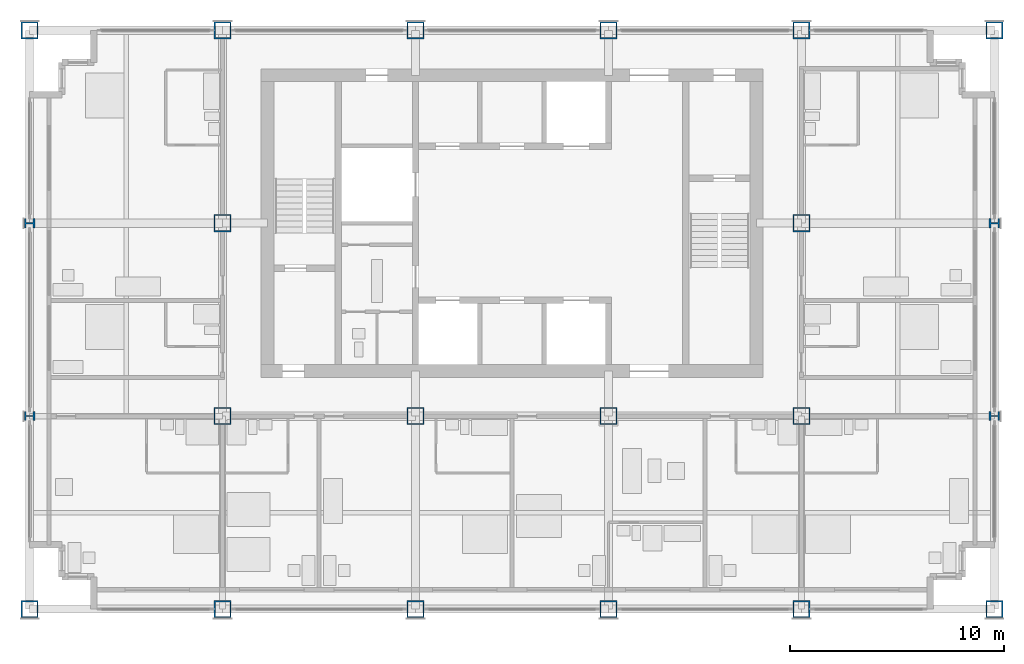
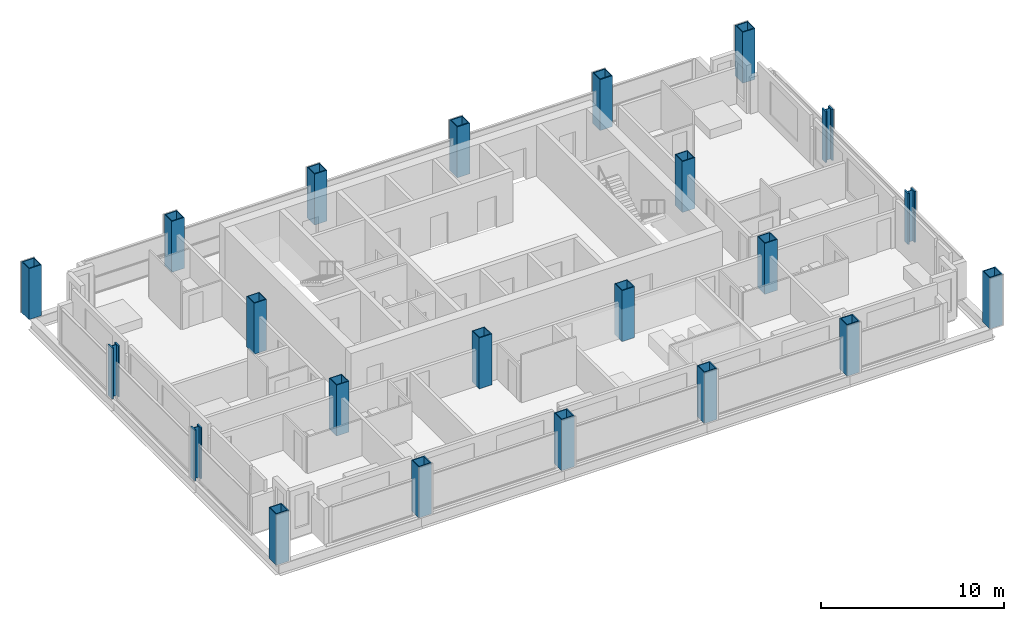
# One storey, part 1 of 13: 22 columns.
"""IFC4 building model written with IfcOpenShell, lengths in metres."""

from ifc_helpers import new_model, si_unit, direction, frame, origin, origin_2d, place, context, subcontext, project, spatial, hollow_rectangle, i_section, extrude, material, material_profile, profile_set, type_object, element, save


model = new_model("IFC4")

# Units and contexts
model_context = context("Model", 3, precision=1e-05, world=origin(), true_north=direction((0.0, 1.0)))
body_context = subcontext(model_context, "Body", "Model", "MODEL_VIEW")
ifc_project = project(units=[si_unit("LENGTHUNIT", "METRE"), si_unit("AREAUNIT", "SQUARE_METRE"), si_unit("VOLUMEUNIT", "CUBIC_METRE"), si_unit("PLANEANGLEUNIT", "RADIAN"), si_unit("MASSUNIT", "GRAM", prefix="KILO")], contexts=[model_context])

# Site, building, storey
site_placement = place(None, origin())
site = spatial("IfcSite", under=ifc_project, at=site_placement, CompositionType="ELEMENT")
building_placement = place(site_placement, origin())
building = spatial("IfcBuilding", under=site, at=building_placement, Name="Loomwork Tower", CompositionType="ELEMENT")
storey_placement = place(building_placement, frame((0.0, 0.0, 208.0)))
storey = spatial("IfcBuildingStorey", under=building, at=storey_placement, Name="L57", CompositionType="ELEMENT", Elevation=208.0)

# Columns
ifc_material_1 = material(Name="Steel ASTM A572 Grade 50 plate", Category="steel")
ifc_material_profile_1 = material_profile(ifc_material_1, hollow_rectangle(XDim=0.800048828125, YDim=0.800048828125, WallThickness=0.06005859375, at=origin_2d()), Name="BOX800x60")
ifc_profile_set_1 = profile_set([ifc_material_profile_1], Name="Steel ASTM A572 Grade 50 plate")
column_type_1 = type_object("IfcColumnType", Name="EXOSKELETON PIER BOX800x60", PredefinedType="COLUMN", material=ifc_profile_set_1)
for number, where, z_axis, x_axis, name in (
    (1, (0.0, 0.0, 0.0), (0.0, 0.0, 1.0), (1.0, 0.0, 0.0), "Exoskeleton Pier D/2 L57"),
    (2, (0.0, 27.0, 0.0), (0.0, 0.0, 1.0), (0.0, 1.0, 0.0), "Exoskeleton Pier G/2 L57"),
    (3, (9.0, 0.0, 0.0), (0.0, 0.0, 1.0), (1.0, 0.0, 0.0), "Exoskeleton Pier D/3 L57"),
    (4, (9.0, 27.0, 0.0), (0.0, 0.0, 1.0), (1.0, 0.0, 0.0), "Exoskeleton Pier G/3 L57"),
    (5, (18.0, 0.0, 0.0), (0.0, 0.0, 1.0), (1.0, 0.0, 0.0), "Exoskeleton Pier D/4 L57"),
    (6, (18.0, 27.0, 0.0), (0.0, 0.0, 1.0), (1.0, 0.0, 0.0), "Exoskeleton Pier G/4 L57"),
    (7, (27.0, 0.0, 0.0), (0.0, 0.0, 1.0), (1.0, 0.0, 0.0), "Exoskeleton Pier D/5 L57"),
    (8, (27.0, 27.0, 0.0), (0.0, 0.0, 1.0), (1.0, 0.0, 0.0), "Exoskeleton Pier G/5 L57"),
    (9, (36.0, 0.0, 0.0), (0.0, 0.0, 1.0), (1.0, 0.0, 0.0), "Exoskeleton Pier D/6 L57"),
    (10, (36.0, 27.0, 0.0), (0.0, 0.0, 1.0), (1.0, 0.0, 0.0), "Exoskeleton Pier G/6 L57"),
    (11, (45.0, 0.0, 0.0), (0.0, 0.0, 1.0), (1.0, 0.0, 0.0), "Exoskeleton Pier D/7 L57"),
    (12, (45.0, 27.0, 0.0), (0.0, 0.0, 1.0), (0.0, 1.0, 0.0), "Exoskeleton Pier G/7 L57"),
):
    element("IfcColumn", number, at=place(storey_placement, frame(where, z_axis=z_axis, x_axis=x_axis)), inside=storey, type_object=column_type_1, Name=name, PredefinedType="COLUMN", context=body_context, shape_type="SweptSolid", body=[
        extrude(hollow_rectangle(XDim=0.800048828125, YDim=0.800048828125, WallThickness=0.06005859375, at=origin_2d()), origin(), (0.0, 0.0, 1.0), 3.39990234375),
    ])
ifc_material_2 = material(Name="Steel ASTM A992", Category="steel")
ifc_material_profile_2 = material_profile(ifc_material_2, i_section(OverallWidth=0.4267578125, OverallDepth=0.482666015625, WebThickness=0.05126953125, FlangeThickness=0.08154296875, at=origin_2d()), Name="W14x455")
ifc_profile_set_2 = profile_set([ifc_material_profile_2], Name="Steel ASTM A992")
column_type_2 = type_object("IfcColumnType", Name="EXOSKELETON PIER W14x455", PredefinedType="COLUMN", material=ifc_profile_set_2)
for number, where, z_axis, x_axis, name in (
    (13, (0.0, 9.0, 0.0), (0.0, 0.0, 1.0), (0.0, 1.0, 0.0), "Exoskeleton Pier E/2 L57"),
    (14, (0.0, 18.0, 0.0), (0.0, 0.0, 1.0), (0.0, 1.0, 0.0), "Exoskeleton Pier F/2 L57"),
    (15, (45.0, 9.0, 0.0), (0.0, 0.0, 1.0), (0.0, 1.0, 0.0), "Exoskeleton Pier E/7 L57"),
    (16, (45.0, 18.0, 0.0), (0.0, 0.0, 1.0), (0.0, 1.0, 0.0), "Exoskeleton Pier F/7 L57"),
):
    element("IfcColumn", number, at=place(storey_placement, frame(where, z_axis=z_axis, x_axis=x_axis)), inside=storey, type_object=column_type_2, Name=name, PredefinedType="COLUMN", context=body_context, shape_type="SweptSolid", body=[
        extrude(i_section(OverallWidth=0.4267578125, OverallDepth=0.482666015625, WebThickness=0.05126953125, FlangeThickness=0.08154296875, at=origin_2d()), origin(), (0.0, 0.0, 1.0), 3.39990234375),
    ])
ifc_material_3 = material(Name="Steel ASTM A572 Grade 50 plate", Category="steel")
ifc_material_profile_3 = material_profile(ifc_material_3, hollow_rectangle(XDim=0.800048828125, YDim=0.800048828125, WallThickness=0.050048828125, at=origin_2d()), Name="BOX800x50")
ifc_profile_set_3 = profile_set([ifc_material_profile_3], Name="Steel ASTM A572 Grade 50 plate")
column_type_3 = type_object("IfcColumnType", Name="TOWER COLUMN BOX800x50", PredefinedType="COLUMN", material=ifc_profile_set_3)
for number, where, z_axis, x_axis, name in (
    (17, (9.0, 9.0, 0.0), (0.0, 0.0, 1.0), (1.0, 0.0, 0.0), "Tower Column E/3 L57"),
    (18, (9.0, 18.0, 0.0), (0.0, 0.0, 1.0), (1.0, 0.0, 0.0), "Tower Column F/3 L57"),
    (19, (18.0, 9.0, 0.0), (0.0, 0.0, 1.0), (1.0, 0.0, 0.0), "Tower Column E/4 L57"),
    (20, (27.0, 9.0, 0.0), (0.0, 0.0, 1.0), (1.0, 0.0, 0.0), "Tower Column E/5 L57"),
    (21, (36.0, 9.0, 0.0), (0.0, 0.0, 1.0), (0.0, 1.0, 0.0), "Tower Column E/6 L57"),
    (22, (36.0, 18.0, 0.0), (0.0, 0.0, 1.0), (0.0, 1.0, 0.0), "Tower Column F/6 L57"),
):
    element("IfcColumn", number, at=place(storey_placement, frame(where, z_axis=z_axis, x_axis=x_axis)), inside=storey, type_object=column_type_3, Name=name, PredefinedType="COLUMN", context=body_context, shape_type="SweptSolid", body=[
        extrude(hollow_rectangle(XDim=0.800048828125, YDim=0.800048828125, WallThickness=0.050048828125, at=origin_2d()), origin(), (0.0, 0.0, 1.0), 3.39990234375),
    ])

save(model, "model.ifc")
